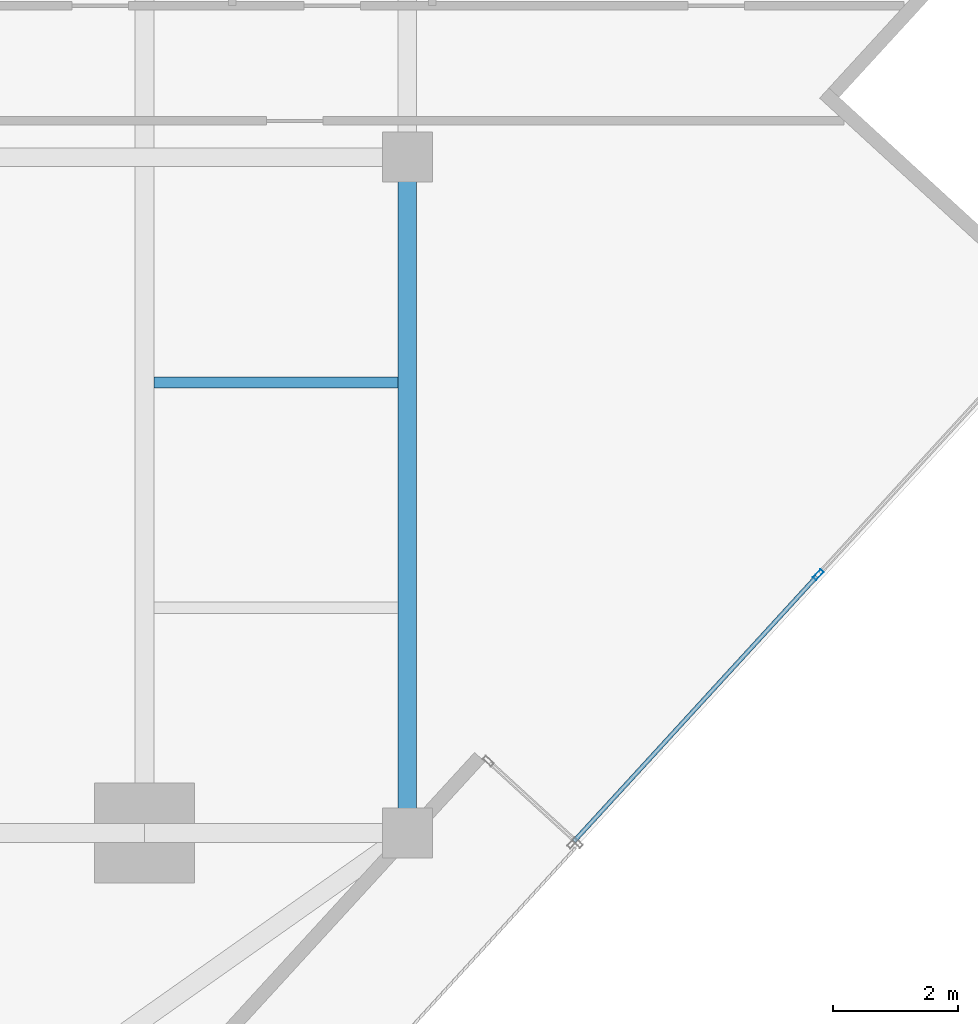
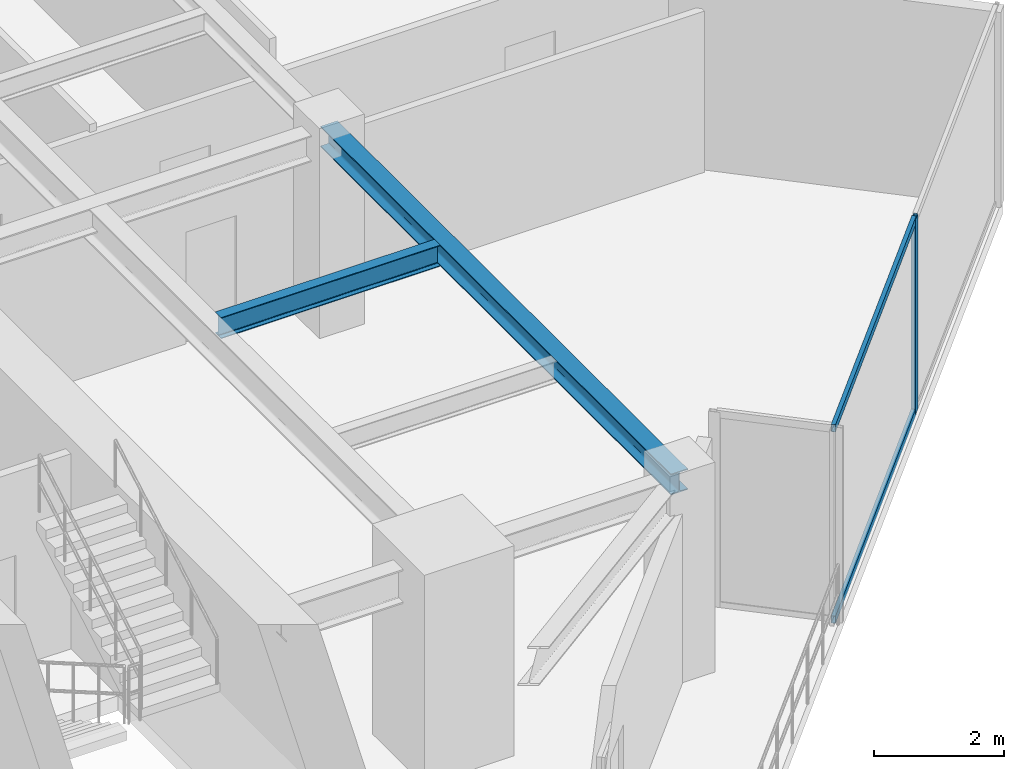
# One storey, part 11 of 26: 3 members, 2 beams, 1 element without a shape of its own.
"""IFC4 building model written with IfcOpenShell, lengths in metres."""

from ifc_helpers import new_model, si_unit, direction, frame, origin, origin_2d, place, context, subcontext, project, spatial, hollow_rectangle, i_section, extrude, source, transform, mapped, material, material_profile, profile_set, type_object, type_shapes, element, aggregate, save


model = new_model("IFC4")

# Units and contexts
model_context = context("Model", 3, precision=1e-05, world=origin(), true_north=direction((0.0, 1.0)))
body_context = subcontext(model_context, "Body", "Model", "MODEL_VIEW")
ifc_project = project(units=[si_unit("LENGTHUNIT", "METRE"), si_unit("AREAUNIT", "SQUARE_METRE"), si_unit("VOLUMEUNIT", "CUBIC_METRE"), si_unit("PLANEANGLEUNIT", "RADIAN"), si_unit("MASSUNIT", "GRAM", prefix="KILO")], contexts=[model_context])

# Site, building, storey
site_placement = place(None, origin())
site = spatial("IfcSite", under=ifc_project, at=site_placement, CompositionType="ELEMENT")
building_placement = place(site_placement, origin())
building = spatial("IfcBuilding", under=site, at=building_placement, Name="Krantzveldt Concourse Tower", CompositionType="ELEMENT")
storey_placement = place(building_placement, frame((0.0, 0.0, 219.14990234375)))
storey = spatial("IfcBuildingStorey", under=building, at=storey_placement, Name="L53", CompositionType="ELEMENT", Elevation=219.14990234375)

# Beams
ifc_material_1 = material(Name="Steel S355JR", Category="steel")
ifc_material_profile_1 = material_profile(ifc_material_1, i_section(OverallWidth=0.300048828125, OverallDepth=0.389892578125, WebThickness=0.010986328125, FlangeThickness=0.01904296875, FilletRadius=0.027099609375, at=origin_2d()), Name="Steel S355JR", Category="steel")
ifc_profile_set_1 = profile_set([ifc_material_profile_1], Name="Steel S355JR - HEA 400")
beam_type_1 = type_object("IfcBeamType", Name="BM-SP-HEA400", PredefinedType="SPANDREL", material=ifc_profile_set_1)
shared_shape_1 = source(origin(), body_context, "Body", "SweptSolid", [
    extrude(i_section(OverallWidth=0.300048828125, OverallDepth=0.389892578125, WebThickness=0.010986328125, FlangeThickness=0.01904296875, FilletRadius=0.027099609375, at=origin_2d()), origin(), (0.0, 0.0, 1.0), 10.800048828125),
])
type_shapes(beam_type_1, [shared_shape_1])
beam_1_placement = place(storey_placement, frame((51.0, 26.699951171875, 3.47509765625), z_axis=(0.0, -1.0, 0.0), x_axis=(1.0, 0.0, 0.0)))
element("IfcBeam", 1, at=beam_1_placement, inside=storey, type_object=beam_type_1, Name="L53 Tower Girder SP-R07", PredefinedType="SPANDREL", context=body_context, shape_type="MappedRepresentation", body=[
    mapped(shared_shape_1, transform((0.0, 0.0, 0.0), x_axis=(1.0, 0.0, 0.0), y_axis=(0.0, 1.0, 0.0), z_axis=(0.0, 0.0, 1.0), scale=1.0)),
])
ifc_material_profile_2 = material_profile(ifc_material_1, i_section(OverallWidth=0.179931640625, OverallDepth=0.39990234375, WebThickness=0.008544921875, FlangeThickness=0.013427734375, FilletRadius=0.02099609375, at=origin_2d()), Name="Steel S355JR", Category="steel")
ifc_profile_set_2 = profile_set([ifc_material_profile_2], Name="Steel S355JR - IPE 400")
beam_type_2 = type_object("IfcBeamType", Name="BM-J-IPE400", PredefinedType="JOIST", material=ifc_profile_set_2)
shared_shape_2 = source(origin(), body_context, "Body", "SweptSolid", [
    extrude(i_section(OverallWidth=0.179931640625, OverallDepth=0.39990234375, WebThickness=0.008544921875, FlangeThickness=0.013427734375, FilletRadius=0.02099609375, at=origin_2d()), origin(), (0.0, 0.0, 1.0), 3.900146484375),
])
type_shapes(beam_type_2, [shared_shape_2])
beam_2_placement = place(storey_placement, frame((46.949951171875, 23.10009765625, 3.47021484375), z_axis=(1.0, 0.0, 0.0), x_axis=(0.0, 1.0, 0.0)))
element("IfcBeam", 2, at=beam_2_placement, inside=storey, type_object=beam_type_2, Name="L53 Secondary Floor Joist JE-2", PredefinedType="JOIST", context=body_context, shape_type="MappedRepresentation", body=[
    mapped(shared_shape_2, transform((0.0, 0.0, 0.0), x_axis=(1.0, 0.0, 0.0), y_axis=(0.0, 1.0, 0.0), z_axis=(0.0, 0.0, 1.0), scale=1.0)),
])

# Curtain wall, members
ifc_material_2 = material(Name="Anodised aluminium 6063-T6", Category="aluminium")
curtain_wall_type = type_object("IfcCurtainWallType", Name="CW3", PredefinedType="USERDEFINED", material=ifc_material_2)
curtain_wall_placement = place(storey_placement, origin())
curtain_wall = element("IfcCurtainWall", 3, at=curtain_wall_placement, inside=storey, type_object=curtain_wall_type, Name="CW-L53-F11", ObjectType="UNITISED CURTAIN WALL", PredefinedType="USERDEFINED")
ifc_material_profile_3 = material_profile(ifc_material_2, hollow_rectangle(XDim=0.070068359375, YDim=0.179931640625, WallThickness=0.0048828125, at=origin_2d()), Name="Anodised aluminium 6063-T6", Category="aluminium")
ifc_profile_set_3 = profile_set([ifc_material_profile_3], Name="Anodised aluminium 6063-T6 - ALU-MULL 180x70x5")
member_type_1 = type_object("IfcMemberType", Name="CW-MUL-180", PredefinedType="MULLION", material=ifc_profile_set_3)
shared_shape_3 = source(origin(), body_context, "Body", "SweptSolid", [
    extrude(hollow_rectangle(XDim=0.070068359375, YDim=0.179931640625, WallThickness=0.0048828125, at=origin_2d()), origin(), (0.0, 0.0, 1.0), 3.670166015625),
])
type_shapes(member_type_1, [shared_shape_3])
member_1_placement = place(storey_placement, frame((57.5673828125, 20.02587890625, 0.0), z_axis=(0.0, 0.0, 1.0), x_axis=(-0.737277769208, 0.675589735736, 0.0)))
member_1 = element("IfcMember", 4, at=member_1_placement, type_object=member_type_1, Name="CW-Z34 mullion 2", PredefinedType="MULLION", context=body_context, shape_type="MappedRepresentation", body=[
    mapped(shared_shape_3, transform((0.0, 0.0, 0.0), x_axis=(1.0, 0.0, 0.0), y_axis=(0.0, 1.0, 0.0), z_axis=(0.0, 0.0, 1.0), scale=1.0)),
])
ifc_material_profile_4 = material_profile(ifc_material_2, hollow_rectangle(XDim=0.070068359375, YDim=0.139892578125, WallThickness=0.0048828125, at=origin_2d()), Name="Anodised aluminium 6063-T6", Category="aluminium")
ifc_profile_set_4 = profile_set([ifc_material_profile_4], Name="Anodised aluminium 6063-T6 - ALU-TRAN 140x70x5")
member_type_2 = type_object("IfcMemberType", Name="CW-TRN-150", PredefinedType="USERDEFINED", material=ifc_profile_set_4)
shared_shape_4 = source(origin(), body_context, "Body", "SweptSolid", [
    extrude(hollow_rectangle(XDim=0.070068359375, YDim=0.139892578125, WallThickness=0.0048828125, at=origin_2d()), origin(), (0.0, 0.0, 1.0), 5.7451171875),
])
type_shapes(member_type_2, [shared_shape_4])
member_2_placement = place(storey_placement, frame((53.662353515625, 15.764404296875, 0.03515625), z_axis=(0.675603385152, 0.737265261606, 0.0), x_axis=(-0.737265261606, 0.675603385152, 0.0)))
member_2 = element("IfcMember", 5, at=member_2_placement, type_object=member_type_2, Name="CW-Z34 transom 1.1", ObjectType="TRANSOM", PredefinedType="USERDEFINED", context=body_context, shape_type="MappedRepresentation", body=[
    mapped(shared_shape_4, transform((0.0, 0.0, 0.0), x_axis=(1.0, 0.0, 0.0), y_axis=(0.0, 1.0, 0.0), z_axis=(0.0, 0.0, 1.0), scale=1.0)),
])
member_3_placement = place(storey_placement, frame((53.662353515625, 15.764404296875, 3.635009765625), z_axis=(0.675603385152, 0.737265261606, 0.0), x_axis=(-0.737265261606, 0.675603385152, 0.0)))
member_3 = element("IfcMember", 6, at=member_3_placement, type_object=member_type_2, Name="CW-Z34 transom 1.2", ObjectType="TRANSOM", PredefinedType="USERDEFINED", context=body_context, shape_type="MappedRepresentation", body=[
    mapped(shared_shape_4, transform((0.0, 0.0, 0.0), x_axis=(1.0, 0.0, 0.0), y_axis=(0.0, 1.0, 0.0), z_axis=(0.0, 0.0, 1.0), scale=1.0)),
])
aggregate(curtain_wall, [member_1, member_2, member_3])

save(model, "model.ifc")
